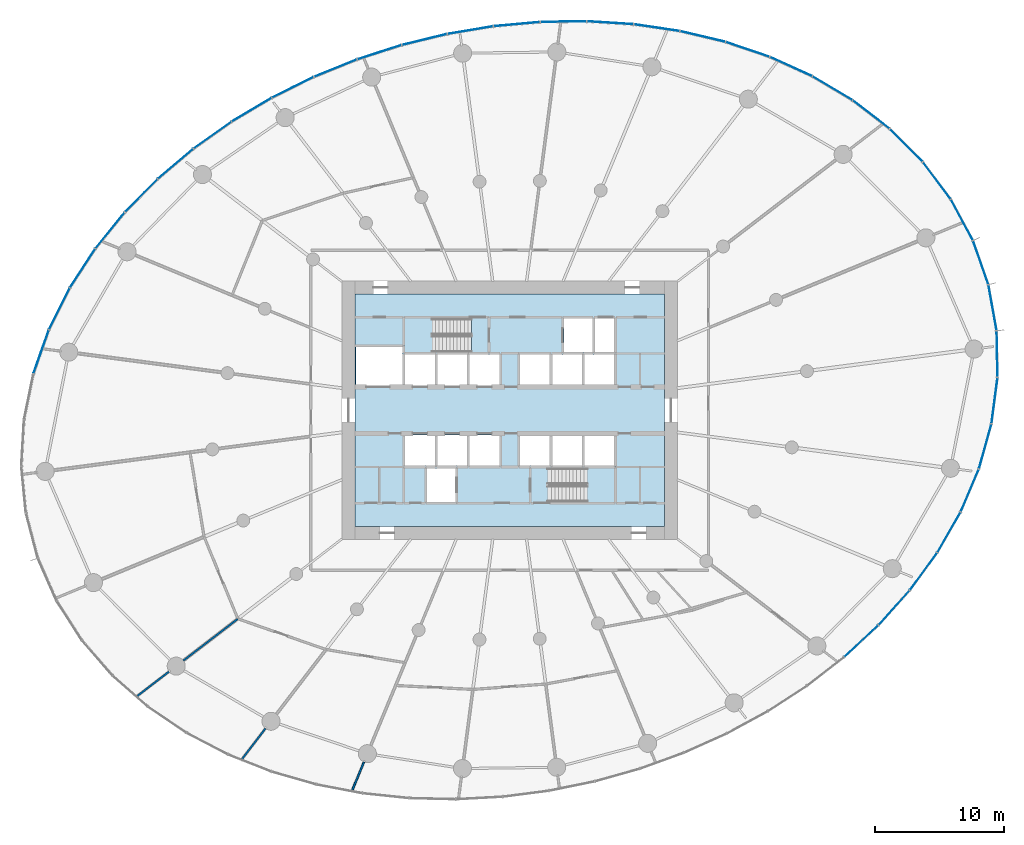
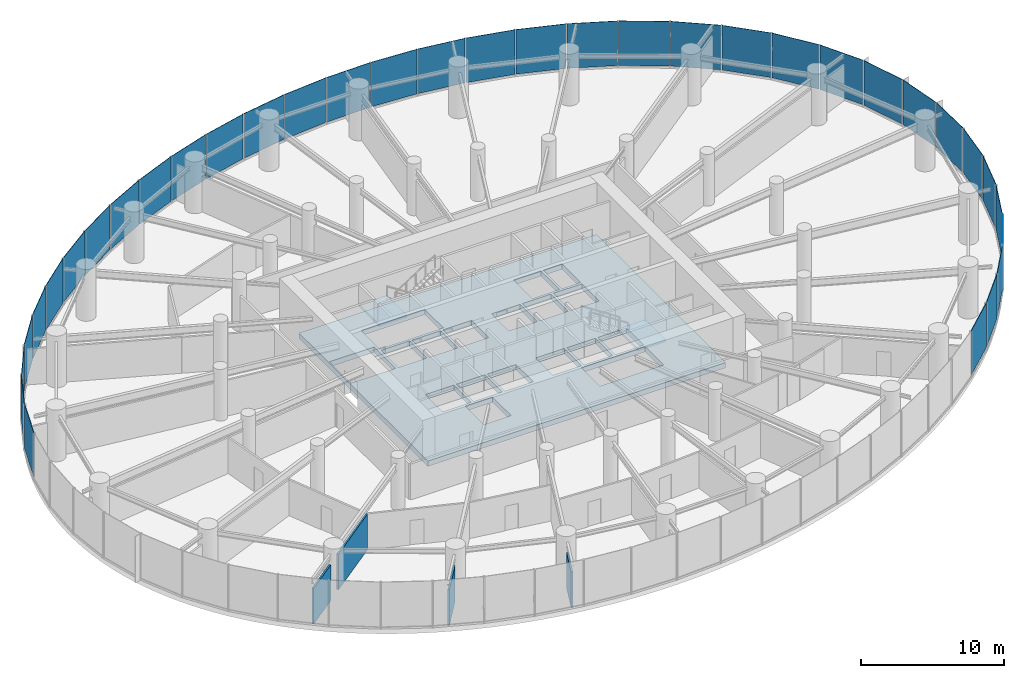
# One storey, part 10 of 18: 35 plates, 4 walls, 3 slabs, 9 elements without a shape of their own.
"""IFC4 building model written with IfcOpenShell, lengths in metres."""

import ifcopenshell
import ifcopenshell.guid

model = None  # the IFC model being written
_history = None  # IfcOwnerHistory: only IFC2X3 demands one
_inside = {}  # id of a spatial element -> (the spatial element, [elements in it])
_under = {}  # id of a project, library or spatial element -> (it, [spatial elements below it])
_declared = {}  # id of a project -> (the project, [libraries it declares])
_typed = {}  # id of a type object -> (the type object, [elements of that type])
_made_of = {}  # id of a material, layer set ... -> (it, [elements and type objects made of it])


def new_model(schema):
    """Start an empty IFC model of exactly this schema.

    Asked for "IFC4X3", IfcOpenShell would pick the latest addendum, in which some entities
    have other attributes; the version numbers below select the first issue.
    IFC2X3 requires an IfcOwnerHistory on every rooted entity: one is made here for all.
    """
    global model, _history
    if schema == "IFC4X3":
        model = ifcopenshell.file(schema_version=(4, 3, 0, 0))
    else:
        model = ifcopenshell.file(schema=schema)
    _inside.clear()
    _under.clear()
    _declared.clear()
    _typed.clear()
    _made_of.clear()
    _history = None
    if model.schema == "IFC2X3":
        org = make("IfcOrganization", Name="unknown")
        user = make(
            "IfcPersonAndOrganization",
            ThePerson=make("IfcPerson", FamilyName="unknown"),
            TheOrganization=org,
        )
        app = make(
            "IfcApplication",
            ApplicationDeveloper=org,
            Version="unknown",
            ApplicationFullName="unknown",
            ApplicationIdentifier="unknown",
        )
        _history = make(
            "IfcOwnerHistory",
            OwningUser=user,
            OwningApplication=app,
            ChangeAction="ADDED",
            CreationDate=0,
        )
    return model


def make(cls, **values):
    """One entity of the class cls with the attributes given. An attribute that is None is left unset."""
    return model.create_entity(
        cls, **{name: value for name, value in values.items() if value is not None}
    )


def rooted(cls, **values):
    """An entity with a GlobalId (a new one), such as an element, a storey or a relation."""
    return make(cls, GlobalId=ifcopenshell.guid.new(), OwnerHistory=_history, **values)


def si_unit(unit_type, name, prefix=None):
    """IfcSIUnit, for example si_unit("LENGTHUNIT", "METRE", prefix="MILLI")."""
    return make("IfcSIUnit", UnitType=unit_type, Prefix=prefix, Name=name)


def assignment(units):
    """IfcUnitAssignment: the units of a project."""
    return None if units is None else make("IfcUnitAssignment", Units=units)


def point(xyz):
    """IfcCartesianPoint."""
    return None if xyz is None else make("IfcCartesianPoint", Coordinates=xyz)


def direction(xyz):
    """IfcDirection."""
    return None if xyz is None else make("IfcDirection", DirectionRatios=xyz)


def frame(location, z_axis=None, x_axis=None):
    """IfcAxis2Placement3D, a coordinate frame: its origin and axes. An axis left out is left unset."""
    return make(
        "IfcAxis2Placement3D",
        Location=point(location),
        Axis=direction(z_axis),
        RefDirection=direction(x_axis),
    )


def frame_2d(location, x_axis=None):
    """IfcAxis2Placement2D, a coordinate frame in the plane: its origin and x axis."""
    return make(
        "IfcAxis2Placement2D", Location=point(location), RefDirection=direction(x_axis)
    )


def origin():
    """The frame at (0, 0, 0) with its axes left unset."""
    return frame((0.0, 0.0, 0.0))


def origin_2d():
    """The frame at (0, 0) in the plane with its x axis left unset."""
    return frame_2d((0.0, 0.0))


def place(relative_to, where):
    """IfcLocalPlacement: puts the frame where relative to a parent placement (None: the world)."""
    return make(
        "IfcLocalPlacement", PlacementRelTo=relative_to, RelativePlacement=where
    )


def context(
    kind, dimensions, precision=None, world=None, true_north=None, identifier=None
):
    """IfcGeometricRepresentationContext, for example the 3D "Model" context."""
    return make(
        "IfcGeometricRepresentationContext",
        ContextIdentifier=identifier,
        ContextType=kind,
        CoordinateSpaceDimension=dimensions,
        Precision=precision,
        WorldCoordinateSystem=world,
        TrueNorth=true_north,
    )


def subcontext(parent, identifier, kind, view, scale=None):
    """IfcGeometricRepresentationSubContext, for example "Body" below "Model"."""
    return make(
        "IfcGeometricRepresentationSubContext",
        ContextIdentifier=identifier,
        ContextType=kind,
        ParentContext=parent,
        TargetScale=scale,
        TargetView=view,
    )


def project(units=None, contexts=None):
    """IfcProject with its units and contexts."""
    return rooted(
        "IfcProject",
        Name="project",
        RepresentationContexts=contexts,
        UnitsInContext=assignment(units),
    )


def spatial(cls, under=None, at=None, **own):
    """A site, building, storey or space (cls), placed at a placement, below another one or the project."""
    s = rooted(cls, ObjectPlacement=at, **own)
    if under is not None:
        _under.setdefault(under.id(), (under, []))[1].append(s)
    return s


def point_list(points):
    """IfcCartesianPointList2D or 3D."""
    cls = (
        "IfcCartesianPointList2D" if len(points[0]) == 2 else "IfcCartesianPointList3D"
    )
    return make(cls, CoordList=points)


def line(*indices):
    """IfcLineIndex: a straight run through numbered points of an indexed curve."""
    return model.create_entity("IfcLineIndex", indices)


def indexed_curve(points, segments=None, self_intersect=None):
    """IfcIndexedPolyCurve: lines and arcs through numbered points (the first is 1)."""
    return make(
        "IfcIndexedPolyCurve",
        Points=point_list(points),
        Segments=segments,
        SelfIntersect=self_intersect,
    )


def profile(cls, at=None, kind="AREA", **sizes):
    """A parametric profile (cls). Its sizes go by their IFC names, for example OverallWidth=200.0."""
    return make(cls, ProfileType=kind, Position=at, **sizes)


def rectangle(**sizes):
    """IfcRectangleProfileDef."""
    return profile("IfcRectangleProfileDef", **sizes)


def outline(outer, holes=None, kind="AREA"):
    """IfcArbitraryClosedProfileDef: a profile drawn as a closed curve; with holes, ...WithVoids."""
    if holes is None:
        return make("IfcArbitraryClosedProfileDef", ProfileType=kind, OuterCurve=outer)
    return make(
        "IfcArbitraryProfileDefWithVoids",
        ProfileType=kind,
        OuterCurve=outer,
        InnerCurves=holes,
    )


def extrude(swept, where, along, depth):
    """IfcExtrudedAreaSolid: the profile swept, set in the frame where, extruded along a direction by depth."""
    return make(
        "IfcExtrudedAreaSolid",
        SweptArea=swept,
        Position=where,
        ExtrudedDirection=direction(along),
        Depth=depth,
    )


def shape(context_of_items, identifier, shape_type, items):
    """IfcShapeRepresentation: the items that make up one representation, for example the "Body"."""
    return make(
        "IfcShapeRepresentation",
        ContextOfItems=context_of_items,
        RepresentationIdentifier=identifier,
        RepresentationType=shape_type,
        Items=items,
    )


def source(mapping_origin, context_of_items, identifier, shape_type, items):
    """IfcRepresentationMap: a shape defined once, which mapped items show again and again."""
    return make(
        "IfcRepresentationMap",
        MappingOrigin=mapping_origin,
        MappedRepresentation=shape(context_of_items, identifier, shape_type, items),
    )


def transform(
    local_origin,
    x_axis=None,
    y_axis=None,
    z_axis=None,
    scale=None,
    scale2=None,
    scale3=None,
    uniform=True,
):
    """IfcCartesianTransformationOperator3D, or its non-uniform kind. x_axis, y_axis, z_axis: its Axis1, 2, 3."""
    if uniform:
        return make(
            "IfcCartesianTransformationOperator3D",
            Axis1=direction(x_axis),
            Axis2=direction(y_axis),
            LocalOrigin=point(local_origin),
            Scale=scale,
            Axis3=direction(z_axis),
        )
    return make(
        "IfcCartesianTransformationOperator3DnonUniform",
        Axis1=direction(x_axis),
        Axis2=direction(y_axis),
        LocalOrigin=point(local_origin),
        Scale=scale,
        Axis3=direction(z_axis),
        Scale2=scale2,
        Scale3=scale3,
    )


def mapped(mapping_source, mapping_target):
    """IfcMappedItem: shows the shape of a source again, moved by a transform."""
    return make(
        "IfcMappedItem", MappingSource=mapping_source, MappingTarget=mapping_target
    )


def material(Name=None, Category=None):
    """IfcMaterial."""
    return make("IfcMaterial", Name=Name, Category=Category)


def layer(
    of_material, thickness, ventilated=None, Name=None, Category=None, Priority=None
):
    """IfcMaterialLayer: one layer of a wall or slab, of a material (None: an air gap)."""
    return make(
        "IfcMaterialLayer",
        Material=of_material,
        LayerThickness=thickness,
        IsVentilated=ventilated,
        Name=Name,
        Category=Category,
        Priority=Priority,
    )


def layer_set(layers, Name=None):
    """IfcMaterialLayerSet."""
    return make("IfcMaterialLayerSet", MaterialLayers=layers, LayerSetName=Name)


def made_of(thing, what):
    """Note that an element or type object is made of a material, layer set ...; save() writes the relation."""
    if what is not None:
        _made_of.setdefault(what.id(), (what, []))[1].append(thing)
    return thing


def type_object(cls, material=None, **own):
    """A type object (cls), such as IfcWallType, which elements share."""
    return made_of(rooted(cls, **own), material)


def element(
    cls,
    number,
    at=None,
    inside=None,
    cuts=None,
    type_object=None,
    material=None,
    context=None,
    identifier="Body",
    shape_type=None,
    held_by="IfcProductDefinitionShape",
    body=None,
    shapes=None,
    **own,
):
    """One element of the class cls, such as IfcWall. Its Tag is "e" and its number.

    at: its placement. inside: the storey or other place that contains it. cuts: it is an
    opening in that element (IfcRelVoidsElement). A single representation is given by context,
    identifier, shape_type and body (its items); several are given by shapes. held_by: the class
    of the entity that holds the representations. save() writes the other relations.
    """
    e = rooted(cls, Tag="e%d" % number, ObjectPlacement=at, **own)
    if body is not None:
        shapes = [shape(context, identifier, shape_type, body)]
    if shapes is not None:
        e.Representation = make(held_by, Representations=shapes)
    if inside is not None:
        _inside.setdefault(inside.id(), (inside, []))[1].append(e)
    if cuts is not None:
        rooted(
            "IfcRelVoidsElement", RelatingBuildingElement=cuts, RelatedOpeningElement=e
        )
    if type_object is not None:
        _typed.setdefault(type_object.id(), (type_object, []))[1].append(e)
    return made_of(e, material)


def aggregate(whole, parts):
    """IfcRelAggregates: a whole, such as a stair, and the parts it consists of."""
    return rooted("IfcRelAggregates", RelatingObject=whole, RelatedObjects=parts)


def save(model, path):
    """Write the relations noted so far, then the file.

    IfcRelAggregates (storeys below a building ...), IfcRelContainedInSpatialStructure (elements
    in a storey), IfcRelDefinesByType, IfcRelAssociatesMaterial and IfcRelDeclares: one each for
    every whole, place, type object, material and project.
    """
    for whole, parts in _under.values():
        aggregate(whole, parts)
    for where, things in _inside.values():
        rooted(
            "IfcRelContainedInSpatialStructure",
            RelatedElements=things,
            RelatingStructure=where,
        )
    for kind, things in _typed.values():
        rooted("IfcRelDefinesByType", RelatedObjects=things, RelatingType=kind)
    for what, things in _made_of.values():
        rooted("IfcRelAssociatesMaterial", RelatedObjects=things, RelatingMaterial=what)
    for by, libraries in _declared.values():
        rooted("IfcRelDeclares", RelatingContext=by, RelatedDefinitions=libraries)
    model.write(path)


model = new_model("IFC4")

# Units and contexts
model_context = context("Model", 3, precision=1e-05, world=origin(), true_north=direction((0.0, 1.0)))
body_context = subcontext(model_context, "Body", "Model", "MODEL_VIEW")
ifc_project = project(units=[si_unit("LENGTHUNIT", "METRE"), si_unit("AREAUNIT", "SQUARE_METRE"), si_unit("VOLUMEUNIT", "CUBIC_METRE"), si_unit("PLANEANGLEUNIT", "RADIAN"), si_unit("MASSUNIT", "GRAM", prefix="KILO")], contexts=[model_context])

# Site, building, storey
site_placement = place(None, origin())
site = spatial("IfcSite", under=ifc_project, at=site_placement, CompositionType="ELEMENT")
building_placement = place(site_placement, origin())
building = spatial("IfcBuilding", under=site, at=building_placement, Name="Spindrift Exchange Tower", CompositionType="ELEMENT")
storey_placement = place(building_placement, frame((0.0, 0.0, 66.60009765625)))
storey = spatial("IfcBuildingStorey", under=building, at=storey_placement, Name="L15", CompositionType="ELEMENT", Elevation=66.60009765625)

# Slab
ifc_material_1 = material(Name="Concrete 50 MPa", Category="concrete")
ifc_layer_1 = layer(ifc_material_1, 0.449951171875)
ifc_layer_set_1 = layer_set([ifc_layer_1], Name="SL-CORE-FLOOR-450")
slab_type_1 = type_object("IfcSlabType", Name="SL-CORE-FLOOR-450", PredefinedType="FLOOR", material=ifc_layer_set_1)
slab_1_placement = place(storey_placement, frame((0.0, 0.0, -0.4501953125)))
element("IfcSlab", 1, at=slab_1_placement, inside=storey, type_object=slab_type_1, Name="L15 Core floor slab", PredefinedType="FLOOR", context=body_context, shape_type="SweptSolid", body=[
    extrude(outline(indexed_curve([(40.0, 39.0), (40.0, 57.0), (64.0, 57.0), (64.0, 39.0)], segments=[line(1, 2, 3, 4, 1)], self_intersect=False), holes=[indexed_curve([(47.800048828125, 43.5), (45.60009765625, 43.5), (45.60009765625, 40.89990234375), (47.800048828125, 40.89990234375)], segments=[line(1, 2, 3, 4, 1)], self_intersect=False), indexed_curve([(46.199951171875, 46.10009765625), (43.89990234375, 46.10009765625), (43.89990234375, 43.699951171875), (46.199951171875, 43.699951171875)], segments=[line(1, 2, 3, 4, 1)], self_intersect=False), indexed_curve([(48.699951171875, 46.10009765625), (46.39990234375, 46.10009765625), (46.39990234375, 43.699951171875), (48.699951171875, 43.699951171875)], segments=[line(1, 2, 3, 4, 1)], self_intersect=False), indexed_curve([(51.199951171875, 46.10009765625), (48.89990234375, 46.10009765625), (48.89990234375, 43.699951171875), (51.199951171875, 43.699951171875)], segments=[line(1, 2, 3, 4, 1)], self_intersect=False), indexed_curve([(46.199951171875, 52.300048828125), (43.89990234375, 52.300048828125), (43.89990234375, 49.89990234375), (46.199951171875, 49.89990234375)], segments=[line(1, 2, 3, 4, 1)], self_intersect=False), indexed_curve([(48.699951171875, 52.300048828125), (46.39990234375, 52.300048828125), (46.39990234375, 49.89990234375), (48.699951171875, 49.89990234375)], segments=[line(1, 2, 3, 4, 1)], self_intersect=False), indexed_curve([(51.199951171875, 52.300048828125), (48.89990234375, 52.300048828125), (48.89990234375, 49.89990234375), (51.199951171875, 49.89990234375)], segments=[line(1, 2, 3, 4, 1)], self_intersect=False), indexed_curve([(43.699951171875, 49.89990234375), (43.699951171875, 52.89990234375), (40.10009765625, 52.89990234375), (40.10009765625, 49.89990234375)], segments=[line(1, 2, 3, 4, 1)], self_intersect=False), indexed_curve([(49.0439453125, 55.093994140625), (43.906005859375, 55.093994140625), (43.906005859375, 52.506103515625), (49.0439453125, 52.506103515625)], segments=[line(1, 2, 3, 4, 1)], self_intersect=False), indexed_curve([(60.093994140625, 40.906005859375), (60.093994140625, 43.493896484375), (54.9560546875, 43.493896484375), (54.9560546875, 40.906005859375)], segments=[line(1, 2, 3, 4, 1)], self_intersect=False), indexed_curve([(55.10009765625, 46.10009765625), (52.800048828125, 46.10009765625), (52.800048828125, 43.699951171875), (55.10009765625, 43.699951171875)], segments=[line(1, 2, 3, 4, 1)], self_intersect=False), indexed_curve([(57.60009765625, 46.10009765625), (55.300048828125, 46.10009765625), (55.300048828125, 43.699951171875), (57.60009765625, 43.699951171875)], segments=[line(1, 2, 3, 4, 1)], self_intersect=False), indexed_curve([(60.10009765625, 46.10009765625), (57.800048828125, 46.10009765625), (57.800048828125, 43.699951171875), (60.10009765625, 43.699951171875)], segments=[line(1, 2, 3, 4, 1)], self_intersect=False), indexed_curve([(55.10009765625, 52.300048828125), (52.800048828125, 52.300048828125), (52.800048828125, 49.89990234375), (55.10009765625, 49.89990234375)], segments=[line(1, 2, 3, 4, 1)], self_intersect=False), indexed_curve([(57.60009765625, 52.300048828125), (55.300048828125, 52.300048828125), (55.300048828125, 49.89990234375), (57.60009765625, 49.89990234375)], segments=[line(1, 2, 3, 4, 1)], self_intersect=False), indexed_curve([(60.10009765625, 52.300048828125), (57.800048828125, 52.300048828125), (57.800048828125, 49.89990234375), (60.10009765625, 49.89990234375)], segments=[line(1, 2, 3, 4, 1)], self_intersect=False), indexed_curve([(58.39990234375, 52.5), (58.39990234375, 55.10009765625), (56.199951171875, 55.10009765625), (56.199951171875, 52.5)], segments=[line(1, 2, 3, 4, 1)], self_intersect=False), indexed_curve([(60.10009765625, 52.5), (60.10009765625, 55.10009765625), (58.60009765625, 55.10009765625), (58.60009765625, 52.5)], segments=[line(1, 2, 3, 4, 1)], self_intersect=False)]), origin(), (0.0, 0.0, 1.0), 0.4501953125),
])

# Stair, slab
stair_type = type_object("IfcStairType", Name="ST-1250-R183", PredefinedType="HALF_TURN_STAIR", material=ifc_material_1)
stair_1_placement = place(storey_placement, origin())
stair_1 = element("IfcStair", 2, at=stair_1_placement, inside=storey, type_object=stair_type, Name="L15 Exit stair ST1", PredefinedType="HALF_TURN_STAIR")
ifc_layer_2 = layer(ifc_material_1, 0.199951171875)
ifc_layer_set_2 = layer_set([ifc_layer_2], Name="SL-LANDING")
slab_type_2 = type_object("IfcSlabType", Name="SL-LANDING", PredefinedType="LANDING", material=ifc_layer_set_2)
slab_2_placement = place(storey_placement, frame((0.0, 0.0, 2.0)))
slab_2 = element("IfcSlab", 3, at=slab_2_placement, type_object=slab_type_2, Name="ST1 landing 1", PredefinedType="LANDING", context=body_context, shape_type="SweptSolid", body=[
    extrude(outline(indexed_curve([(46.050048828125, 52.39990234375), (43.800048828125, 52.39990234375), (43.800048828125, 55.199951171875), (46.050048828125, 55.199951171875)], segments=[line(1, 2, 3, 4, 1)], self_intersect=False)), origin(), (0.0, 0.0, 1.0), 0.199951171875),
])
aggregate(stair_1, [slab_2])

stair_2_placement = place(storey_placement, origin())
stair_2 = element("IfcStair", 4, at=stair_2_placement, inside=storey, type_object=stair_type, Name="L15 Exit stair ST2", PredefinedType="HALF_TURN_STAIR")
slab_3_placement = place(storey_placement, frame((0.0, 0.0, 2.0)))
slab_3 = element("IfcSlab", 5, at=slab_3_placement, type_object=slab_type_2, Name="ST2 landing 1", PredefinedType="LANDING", context=body_context, shape_type="SweptSolid", body=[
    extrude(outline(indexed_curve([(57.949951171875, 43.60009765625), (60.199951171875, 43.60009765625), (60.199951171875, 40.800048828125), (57.949951171875, 40.800048828125)], segments=[line(1, 2, 3, 4, 1)], self_intersect=False)), origin(), (0.0, 0.0, 1.0), 0.199951171875),
])
aggregate(stair_2, [slab_3])

# Curtain wall, plate
ifc_material_2 = material(Name="Fritted laminated glass with bronze frame", Category="glass")
ifc_layer_3 = layer(ifc_material_2, 0.199951171875)
ifc_layer_set_3 = layer_set([ifc_layer_3], Name="ZONE 1 BRONZE FRITTED WALL")
curtain_wall_type = type_object("IfcCurtainWallType", Name="ZONE 1 BRONZE FRITTED WALL", PredefinedType="NOTDEFINED", material=ifc_layer_set_3)
curtain_wall_1_placement = place(storey_placement, origin())
curtain_wall_1 = element("IfcCurtainWall", 6, at=curtain_wall_1_placement, inside=storey, type_object=curtain_wall_type, Name="L15 Zone 1 Bronze Fritted Wall run 10", PredefinedType="NOTDEFINED")
ifc_material_3 = material(Name="Bronze fritted laminated glass, dense frit", Category="glass")
ifc_layer_4 = layer(ifc_material_3, 0.035888671875)
ifc_layer_set_4 = layer_set([ifc_layer_4], Name="ZONE 1 BRONZE FRITTED WALL PANEL DENSE FRIT 420")
plate_type_1 = type_object("IfcPlateType", Name="ZONE 1 BRONZE FRITTED WALL PANEL DENSE FRIT 420", PredefinedType="CURTAIN_PANEL", material=ifc_layer_set_4)
shared_shape_1 = source(origin(), body_context, "Body", "SweptSolid", [
    extrude(rectangle(XDim=3.544677734375, YDim=0.035888671875, at=origin_2d()), origin(), (0.0, 0.0, 1.0), 3.800048828125),
])
plate_1_placement = place(storey_placement, frame((89.768310546875, 52.34912109375, 0.14990234375), z_axis=(0.0, 0.0, 1.0), x_axis=(-0.019670337297, 0.999806520198, 0.0)))
plate_1 = element("IfcPlate", 7, at=plate_1_placement, type_object=plate_type_1, Name="L15 panel CW-1.58", PredefinedType="CURTAIN_PANEL", context=body_context, shape_type="MappedRepresentation", body=[
    mapped(shared_shape_1, transform((0.0, 0.0, 0.0), scale=1.0)),
])

curtain_wall_2_placement = place(storey_placement, origin())
curtain_wall_2 = element("IfcCurtainWall", 8, at=curtain_wall_2_placement, inside=storey, type_object=curtain_wall_type, Name="L15 Zone 1 Bronze Fritted Wall run 1", PredefinedType="NOTDEFINED")
ifc_layer_5 = layer(ifc_material_3, 0.035888671875)
ifc_layer_set_5 = layer_set([ifc_layer_5], Name="ZONE 1 BRONZE FRITTED WALL PANEL DENSE FRIT 180")
plate_type_2 = type_object("IfcPlateType", Name="ZONE 1 BRONZE FRITTED WALL PANEL DENSE FRIT 180", PredefinedType="CURTAIN_PANEL", material=ifc_layer_set_5)
shared_shape_2 = source(origin(), body_context, "Body", "SweptSolid", [
    extrude(rectangle(XDim=3.544921875, YDim=0.035888671875, at=origin_2d()), origin(), (0.0, 0.0, 1.0), 3.800048828125),
])
plate_2_placement = place(storey_placement, frame((85.09521484375, 65.792724609375, 0.14990234375), z_axis=(0.0, 0.0, 1.0), x_axis=(-0.600189907783, 0.799857533937, 0.0)))
plate_2 = element("IfcPlate", 9, at=plate_2_placement, type_object=plate_type_2, Name="L15 panel CW-1.3", PredefinedType="CURTAIN_PANEL", context=body_context, shape_type="MappedRepresentation", body=[
    mapped(shared_shape_2, transform((0.0, 0.0, 0.0), scale=1.0)),
])

# Plate
shared_shape_3 = source(origin(), body_context, "Body", "SweptSolid", [
    extrude(rectangle(XDim=3.5458984375, YDim=0.035888671875, at=origin_2d()), origin(), (0.0, 0.0, 1.0), 3.800048828125),
])
plate_3_placement = place(storey_placement, frame((87.649658203125, 41.7822265625, 0.14990234375), z_axis=(0.0, 0.0, 1.0), x_axis=(0.391087760809, 0.920353390468, 0.0)))
plate_3 = element("IfcPlate", 10, at=plate_3_placement, type_object=plate_type_2, Name="L15 panel CW-1.55", PredefinedType="CURTAIN_PANEL", context=body_context, shape_type="MappedRepresentation", body=[
    mapped(shared_shape_3, transform((0.0, 0.0, 0.0), scale=1.0)),
])

# Curtain wall, plate
curtain_wall_3_placement = place(storey_placement, origin())
curtain_wall_3 = element("IfcCurtainWall", 11, at=curtain_wall_3_placement, inside=storey, type_object=curtain_wall_type, Name="L15 Zone 1 Bronze Fritted Wall run 4", PredefinedType="NOTDEFINED")
ifc_layer_6 = layer(ifc_material_3, 0.035888671875)
ifc_layer_set_6 = layer_set([ifc_layer_6], Name="ZONE 1 BRONZE FRITTED WALL PANEL DENSE FRIT 300")
plate_type_3 = type_object("IfcPlateType", Name="ZONE 1 BRONZE FRITTED WALL PANEL DENSE FRIT 300", PredefinedType="CURTAIN_PANEL", material=ifc_layer_set_6)
shared_shape_4 = source(origin(), body_context, "Body", "SweptSolid", [
    extrude(rectangle(XDim=3.546875, YDim=0.035888671875, at=origin_2d()), origin(), (0.0, 0.0, 1.0), 3.800048828125),
])
plate_4_placement = place(storey_placement, frame((23.455322265625, 64.6298828125, 0.14990234375), z_axis=(0.0, 0.0, 1.0), x_axis=(-0.702417703805, -0.711764967795, 0.0)))
plate_4 = element("IfcPlate", 12, at=plate_4_placement, type_object=plate_type_3, Name="L15 panel CW-1.22", PredefinedType="CURTAIN_PANEL", context=body_context, shape_type="MappedRepresentation", body=[
    mapped(shared_shape_4, transform((0.0, 0.0, 0.0), scale=1.0)),
])

# Curtain wall, plates
curtain_wall_4_placement = place(storey_placement, origin())
curtain_wall_4 = element("IfcCurtainWall", 13, at=curtain_wall_4_placement, inside=storey, type_object=curtain_wall_type, Name="L15 Zone 1 Bronze Fritted Wall run 2", PredefinedType="NOTDEFINED")
shared_shape_5 = source(origin(), body_context, "Body", "SweptSolid", [
    extrude(rectangle(XDim=3.547119140625, YDim=0.035888671875, at=origin_2d()), origin(), (0.0, 0.0, 1.0), 3.800048828125),
])
plate_5_placement = place(storey_placement, frame((63.397216796875, 77.64111328125, 0.14990234375), z_axis=(0.0, 0.0, 1.0), x_axis=(-0.989376360764, 0.145376809573, 0.0)))
plate_5 = element("IfcPlate", 14, at=plate_5_placement, type_object=plate_type_1, Name="L15 panel CW-1.10", PredefinedType="CURTAIN_PANEL", context=body_context, shape_type="MappedRepresentation", body=[
    mapped(shared_shape_5, transform((0.0, 0.0, 0.0), scale=1.0)),
])
shared_shape_6 = source(origin(), body_context, "Body", "SweptSolid", [
    extrude(rectangle(XDim=3.547119140625, YDim=0.035888671875, at=origin_2d()), origin(), (0.0, 0.0, 1.0), 3.800048828125),
])
plate_6_placement = place(storey_placement, frame((66.955810546875, 76.95849609375, 0.14990234375), z_axis=(0.0, 0.0, 1.0), x_axis=(-0.972929768631, 0.231100985095, 0.0)))
plate_6 = element("IfcPlate", 15, at=plate_6_placement, type_object=plate_type_3, Name="L15 panel CW-1.9", PredefinedType="CURTAIN_PANEL", context=body_context, shape_type="MappedRepresentation", body=[
    mapped(shared_shape_6, transform((0.0, 0.0, 0.0), scale=1.0)),
])

# Plate
plate_7_placement = place(storey_placement, frame((28.977783203125, 69.312255859375, 0.14990234375), z_axis=(0.0, 0.0, 1.0), x_axis=(-0.815523931181, -0.578723351586, 0.0)))
plate_7 = element("IfcPlate", 16, at=plate_7_placement, type_object=plate_type_3, Name="L15 panel CW-1.20", PredefinedType="CURTAIN_PANEL", context=body_context, shape_type="MappedRepresentation", body=[
    mapped(shared_shape_6, transform((0.0, 0.0, 0.0), scale=1.0)),
])

plate_8_placement = place(storey_placement, frame((26.114013671875, 67.091796875, 0.14990234375), z_axis=(0.0, 0.0, 1.0), x_axis=(-0.763641671344, -0.645640300621, 0.0)))
plate_8 = element("IfcPlate", 17, at=plate_8_placement, type_object=plate_type_3, Name="L15 panel CW-1.21", PredefinedType="CURTAIN_PANEL", context=body_context, shape_type="MappedRepresentation", body=[
    mapped(shared_shape_6, transform((0.0, 0.0, 0.0), scale=1.0)),
])

# Curtain wall, plates
curtain_wall_5_placement = place(storey_placement, origin())
curtain_wall_5 = element("IfcCurtainWall", 18, at=curtain_wall_5_placement, inside=storey, type_object=curtain_wall_type, Name="L15 Zone 1 Bronze Fritted Wall run 3", PredefinedType="NOTDEFINED")
shared_shape_7 = source(origin(), body_context, "Body", "SweptSolid", [
    extrude(rectangle(XDim=3.54736328125, YDim=0.035888671875, at=origin_2d()), origin(), (0.0, 0.0, 1.0), 3.800048828125),
])
plate_9_placement = place(storey_placement, frame((41.914306640625, 75.74169921875, 0.14990234375), z_axis=(0.0, 0.0, 1.0), x_axis=(-0.951984697188, -0.306145612937, 0.0)))
plate_9 = element("IfcPlate", 19, at=plate_9_placement, type_object=plate_type_3, Name="L15 panel CW-1.16", PredefinedType="CURTAIN_PANEL", context=body_context, shape_type="MappedRepresentation", body=[
    mapped(shared_shape_7, transform((0.0, 0.0, 0.0), scale=1.0)),
])
plate_10_placement = place(storey_placement, frame((35.19970703125, 73.020751953125, 0.14990234375), z_axis=(0.0, 0.0, 1.0), x_axis=(-0.896266701611, -0.44351550095, 0.0)))
plate_10 = element("IfcPlate", 20, at=plate_10_placement, type_object=plate_type_3, Name="L15 panel CW-1.18", PredefinedType="CURTAIN_PANEL", context=body_context, shape_type="MappedRepresentation", body=[
    mapped(shared_shape_7, transform((0.0, 0.0, 0.0), scale=1.0)),
])
shared_shape_8 = source(origin(), body_context, "Body", "SweptSolid", [
    extrude(rectangle(XDim=3.54736328125, YDim=0.035888671875, at=origin_2d()), origin(), (0.0, 0.0, 1.0), 3.800048828125),
])
plate_11_placement = place(storey_placement, frame((52.5498046875, 77.914794921875, 0.14990234375), z_axis=(0.0, 0.0, 1.0), x_axis=(-0.995850636674, -0.091002799061, 0.0)))
plate_11 = element("IfcPlate", 21, at=plate_11_placement, type_object=plate_type_2, Name="L15 panel CW-1.13", PredefinedType="CURTAIN_PANEL", context=body_context, shape_type="MappedRepresentation", body=[
    mapped(shared_shape_8, transform((0.0, 0.0, 0.0), scale=1.0)),
])
plate_12_placement = place(storey_placement, frame((38.506591796875, 74.505859375, 0.14990234375), z_axis=(0.0, 0.0, 1.0), x_axis=(-0.926930617901, -0.375232767223, 0.0)))
plate_12 = element("IfcPlate", 22, at=plate_12_placement, type_object=plate_type_2, Name="L15 panel CW-1.17", PredefinedType="CURTAIN_PANEL", context=body_context, shape_type="MappedRepresentation", body=[
    mapped(shared_shape_8, transform((0.0, 0.0, 0.0), scale=1.0)),
])

# Plate
plate_13_placement = place(storey_placement, frame((32.015380859375, 71.2890625, 0.14990234375), z_axis=(0.0, 0.0, 1.0), x_axis=(-0.859393917998, -0.511314085185, 0.0)))
plate_13 = element("IfcPlate", 23, at=plate_13_placement, type_object=plate_type_2, Name="L15 panel CW-1.19", PredefinedType="CURTAIN_PANEL", context=body_context, shape_type="MappedRepresentation", body=[
    mapped(shared_shape_8, transform((0.0, 0.0, 0.0), scale=1.0)),
])

shared_shape_9 = source(origin(), body_context, "Body", "SweptSolid", [
    extrude(rectangle(XDim=3.54736328125, YDim=0.035888671875, at=origin_2d()), origin(), (0.0, 0.0, 1.0), 3.800048828125),
])
plate_14_placement = place(storey_placement, frame((56.169677734375, 78.107421875, 0.14990234375), z_axis=(0.0, 0.0, 1.0), x_axis=(-0.999884189129, -0.015218683554, 0.0)))
plate_14 = element("IfcPlate", 24, at=plate_14_placement, type_object=plate_type_1, Name="L15 panel CW-1.12", PredefinedType="CURTAIN_PANEL", context=body_context, shape_type="MappedRepresentation", body=[
    mapped(shared_shape_9, transform((0.0, 0.0, 0.0), scale=1.0)),
])

plate_15_placement = place(storey_placement, frame((48.954833984375, 77.451416015625, 0.14990234375), z_axis=(0.0, 0.0, 1.0), x_axis=(-0.98637762768, -0.164496734352, 0.0)))
plate_15 = element("IfcPlate", 25, at=plate_15_placement, type_object=plate_type_1, Name="L15 panel CW-1.14", PredefinedType="CURTAIN_PANEL", context=body_context, shape_type="MappedRepresentation", body=[
    mapped(shared_shape_9, transform((0.0, 0.0, 0.0), scale=1.0)),
])

shared_shape_10 = source(origin(), body_context, "Body", "SweptSolid", [
    extrude(rectangle(XDim=3.547119140625, YDim=0.035888671875, at=origin_2d()), origin(), (0.0, 0.0, 1.0), 3.800048828125),
])
plate_16_placement = place(storey_placement, frame((59.79296875, 78.02001953125, 0.14990234375), z_axis=(0.0, 0.0, 1.0), x_axis=(-0.997985861267, 0.063436745746, 0.0)))
plate_16 = element("IfcPlate", 26, at=plate_16_placement, type_object=plate_type_2, Name="L15 panel CW-1.11", PredefinedType="CURTAIN_PANEL", context=body_context, shape_type="MappedRepresentation", body=[
    mapped(shared_shape_10, transform((0.0, 0.0, 0.0), scale=1.0)),
])

shared_shape_11 = source(origin(), body_context, "Body", "SweptSolid", [
    extrude(rectangle(XDim=3.546875, YDim=0.035888671875, at=origin_2d()), origin(), (0.0, 0.0, 1.0), 3.800048828125),
])
plate_17_placement = place(storey_placement, frame((70.43798828125, 75.957763671875, 0.14990234375), z_axis=(0.0, 0.0, 1.0), x_axis=(-0.947164382877, 0.320748549194, 0.0)))
plate_17 = element("IfcPlate", 27, at=plate_17_placement, type_object=plate_type_1, Name="L15 panel CW-1.8", PredefinedType="CURTAIN_PANEL", context=body_context, shape_type="MappedRepresentation", body=[
    mapped(shared_shape_11, transform((0.0, 0.0, 0.0), scale=1.0)),
])

# Curtain wall, plate
curtain_wall_6_placement = place(storey_placement, origin())
curtain_wall_6 = element("IfcCurtainWall", 28, at=curtain_wall_6_placement, inside=storey, type_object=curtain_wall_type, Name="L15 Zone 1 Bronze Fritted Wall run 9", PredefinedType="NOTDEFINED")
plate_18_placement = place(storey_placement, frame((81.785888671875, 32.68994140625, 0.14990234375), z_axis=(0.0, 0.0, 1.0), x_axis=(0.667828658256, 0.744315042984, 0.0)))
plate_18 = element("IfcPlate", 29, at=plate_18_placement, type_object=plate_type_1, Name="L15 panel CW-1.52", PredefinedType="CURTAIN_PANEL", context=body_context, shape_type="MappedRepresentation", body=[
    mapped(shared_shape_11, transform((0.0, 0.0, 0.0), scale=1.0)),
])

# Plate
shared_shape_12 = source(origin(), body_context, "Body", "SweptSolid", [
    extrude(rectangle(XDim=3.54443359375, YDim=0.035888671875, at=origin_2d()), origin(), (0.0, 0.0, 1.0), 3.800048828125),
])
plate_19_placement = place(storey_placement, frame((89.4140625, 55.945068359375, 0.14990234375), z_axis=(0.0, 0.0, 1.0), x_axis=(-0.175837515344, 0.984419203489, 0.0)))
plate_19 = element("IfcPlate", 30, at=plate_19_placement, type_object=plate_type_2, Name="L15 panel CW-1.59", PredefinedType="CURTAIN_PANEL", context=body_context, shape_type="MappedRepresentation", body=[
    mapped(shared_shape_12, transform((0.0, 0.0, 0.0), scale=1.0)),
])

shared_shape_13 = source(origin(), body_context, "Body", "SweptSolid", [
    extrude(rectangle(XDim=3.54443359375, YDim=0.035888671875, at=origin_2d()), origin(), (0.0, 0.0, 1.0), 3.800048828125),
])
plate_20_placement = place(storey_placement, frame((88.49755859375, 59.439697265625, 0.14990234375), z_axis=(0.0, 0.0, 1.0), x_axis=(-0.329934500696, 0.944003826926, 0.0)))
plate_20 = element("IfcPlate", 31, at=plate_20_placement, type_object=plate_type_3, Name="L15 panel CW-1.1", PredefinedType="CURTAIN_PANEL", context=body_context, shape_type="MappedRepresentation", body=[
    mapped(shared_shape_13, transform((0.0, 0.0, 0.0), scale=1.0)),
])

# Curtain wall, plate
curtain_wall_7_placement = place(storey_placement, origin())
curtain_wall_7 = element("IfcCurtainWall", 32, at=curtain_wall_7_placement, inside=storey, type_object=curtain_wall_type, Name="L15 Zone 1 Bronze Fritted Wall run 5", PredefinedType="NOTDEFINED")
shared_shape_14 = source(origin(), body_context, "Body", "SweptSolid", [
    extrude(rectangle(XDim=3.545654296875, YDim=0.035888671875, at=origin_2d()), origin(), (0.0, 0.0, 1.0), 3.800048828125),
])
plate_21_placement = place(storey_placement, frame((15.697021484375, 52.52978515625, 0.14990234375), z_axis=(0.0, 0.0, 1.0), x_axis=(-0.331716611813, -0.943379080459, 0.0)))
plate_21 = element("IfcPlate", 33, at=plate_21_placement, type_object=plate_type_3, Name="L15 panel CW-1.26", PredefinedType="CURTAIN_PANEL", context=body_context, shape_type="MappedRepresentation", body=[
    mapped(shared_shape_14, transform((0.0, 0.0, 0.0), scale=1.0)),
])

# Plate
shared_shape_15 = source(origin(), body_context, "Body", "SweptSolid", [
    extrude(rectangle(XDim=3.5458984375, YDim=0.035888671875, at=origin_2d()), origin(), (0.0, 0.0, 1.0), 3.800048828125),
])
plate_22_placement = place(storey_placement, frame((80.00927734375, 70.913818359375, 0.14990234375), z_axis=(0.0, 0.0, 1.0), x_axis=(-0.792417414482, 0.609979213766, 0.0)))
plate_22 = element("IfcPlate", 34, at=plate_22_placement, type_object=plate_type_1, Name="L15 panel CW-1.5", PredefinedType="CURTAIN_PANEL", context=body_context, shape_type="MappedRepresentation", body=[
    mapped(shared_shape_15, transform((0.0, 0.0, 0.0), scale=1.0)),
])

plate_23_placement = place(storey_placement, frame((17.10791015625, 55.8623046875, 0.14990234375), z_axis=(0.0, 0.0, 1.0), x_axis=(-0.446441461567, -0.894812841545, 0.0)))
plate_23 = element("IfcPlate", 35, at=plate_23_placement, type_object=plate_type_1, Name="L15 panel CW-1.25", PredefinedType="CURTAIN_PANEL", context=body_context, shape_type="MappedRepresentation", body=[
    mapped(shared_shape_15, transform((0.0, 0.0, 0.0), scale=1.0)),
])

aggregate(curtain_wall_7, [plate_23, plate_21])

shared_shape_16 = source(origin(), body_context, "Body", "SweptSolid", [
    extrude(rectangle(XDim=3.54638671875, YDim=0.035888671875, at=origin_2d()), origin(), (0.0, 0.0, 1.0), 3.800048828125),
])
plate_24_placement = place(storey_placement, frame((73.805908203125, 74.624755859375, 0.14990234375), z_axis=(0.0, 0.0, 1.0), x_axis=(-0.910124773515, 0.414334281268, 0.0)))
plate_24 = element("IfcPlate", 36, at=plate_24_placement, type_object=plate_type_2, Name="L15 panel CW-1.7", PredefinedType="CURTAIN_PANEL", context=body_context, shape_type="MappedRepresentation", body=[
    mapped(shared_shape_16, transform((0.0, 0.0, 0.0), scale=1.0)),
])

aggregate(curtain_wall_4, [plate_24, plate_17, plate_6, plate_5, plate_16, plate_14])

plate_25_placement = place(storey_placement, frame((18.906494140625, 59.004150390625, 0.14990234375), z_axis=(0.0, 0.0, 1.0), x_axis=(-0.545553558469, -0.838075960067, 0.0)))
plate_25 = element("IfcPlate", 37, at=plate_25_placement, type_object=plate_type_2, Name="L15 panel CW-1.24", PredefinedType="CURTAIN_PANEL", context=body_context, shape_type="MappedRepresentation", body=[
    mapped(shared_shape_16, transform((0.0, 0.0, 0.0), scale=1.0)),
])

plate_26_placement = place(storey_placement, frame((86.037841796875, 38.541259765625, 0.14990234375), z_axis=(0.0, 0.0, 1.0), x_axis=(0.497886951098, 0.867241940825, 0.0)))
plate_26 = element("IfcPlate", 38, at=plate_26_placement, type_object=plate_type_2, Name="L15 panel CW-1.54", PredefinedType="CURTAIN_PANEL", context=body_context, shape_type="MappedRepresentation", body=[
    mapped(shared_shape_16, transform((0.0, 0.0, 0.0), scale=1.0)),
])

shared_shape_17 = source(origin(), body_context, "Body", "SweptSolid", [
    extrude(rectangle(XDim=3.546875, YDim=0.035888671875, at=origin_2d()), origin(), (0.0, 0.0, 1.0), 3.800048828125),
])
plate_27_placement = place(storey_placement, frame((79.2431640625, 30.109130859375, 0.14990234375), z_axis=(0.0, 0.0, 1.0), x_axis=(0.734285781706, 0.678840475211, 0.0)))
plate_27 = element("IfcPlate", 39, at=plate_27_placement, type_object=plate_type_2, Name="L15 panel CW-1.51", PredefinedType="CURTAIN_PANEL", context=body_context, shape_type="MappedRepresentation", body=[
    mapped(shared_shape_17, transform((0.0, 0.0, 0.0), scale=1.0)),
])

shared_shape_18 = source(origin(), body_context, "Body", "SweptSolid", [
    extrude(rectangle(XDim=3.546142578125, YDim=0.035888671875, at=origin_2d()), origin(), (0.0, 0.0, 1.0), 3.800048828125),
])
plate_28_placement = place(storey_placement, frame((77.014404296875, 72.946533203125, 0.14990234375), z_axis=(0.0, 0.0, 1.0), x_axis=(-0.859433181567, 0.511248086962, 0.0)))
plate_28 = element("IfcPlate", 40, at=plate_28_placement, type_object=plate_type_3, Name="L15 panel CW-1.6", PredefinedType="CURTAIN_PANEL", context=body_context, shape_type="MappedRepresentation", body=[
    mapped(shared_shape_18, transform((0.0, 0.0, 0.0), scale=1.0)),
])

shared_shape_19 = source(origin(), body_context, "Body", "SweptSolid", [
    extrude(rectangle(XDim=3.54541015625, YDim=0.035888671875, at=origin_2d()), origin(), (0.0, 0.0, 1.0), 3.800048828125),
])
plate_29_placement = place(storey_placement, frame((82.726806640625, 68.525146484375, 0.14990234375), z_axis=(0.0, 0.0, 1.0), x_axis=(-0.706596900127, 0.707616294846, 0.0)))
plate_29 = element("IfcPlate", 41, at=plate_29_placement, type_object=plate_type_3, Name="L15 panel CW-1.4", PredefinedType="CURTAIN_PANEL", context=body_context, shape_type="MappedRepresentation", body=[
    mapped(shared_shape_19, transform((0.0, 0.0, 0.0), scale=1.0)),
])

shared_shape_20 = source(origin(), body_context, "Body", "SweptSolid", [
    extrude(rectangle(XDim=3.544677734375, YDim=0.035888671875, at=origin_2d()), origin(), (0.0, 0.0, 1.0), 3.800048828125),
])
plate_30_placement = place(storey_placement, frame((87.04150390625, 62.746826171875, 0.14990234375), z_axis=(0.0, 0.0, 1.0), x_axis=(-0.473534895265, 0.880775058097, 0.0)))
plate_30 = element("IfcPlate", 42, at=plate_30_placement, type_object=plate_type_3, Name="L15 panel CW-1.2", PredefinedType="CURTAIN_PANEL", context=body_context, shape_type="MappedRepresentation", body=[
    mapped(shared_shape_20, transform((0.0, 0.0, 0.0), scale=1.0)),
])

aggregate(curtain_wall_2, [plate_20, plate_30, plate_2, plate_29, plate_22, plate_28])

shared_shape_21 = source(origin(), body_context, "Body", "SweptSolid", [
    extrude(rectangle(XDim=3.54541015625, YDim=0.035888671875, at=origin_2d()), origin(), (0.0, 0.0, 1.0), 3.800048828125),
])
plate_31_placement = place(storey_placement, frame((88.844970703125, 45.197021484375, 0.14990234375), z_axis=(0.0, 0.0, 1.0), x_axis=(0.268324682651, 0.963328534136, 0.0)))
plate_31 = element("IfcPlate", 43, at=plate_31_placement, type_object=plate_type_1, Name="L15 panel CW-1.56", PredefinedType="CURTAIN_PANEL", context=body_context, shape_type="MappedRepresentation", body=[
    mapped(shared_shape_21, transform((0.0, 0.0, 0.0), scale=1.0)),
])

shared_shape_22 = source(origin(), body_context, "Body", "SweptSolid", [
    extrude(rectangle(XDim=3.54638671875, YDim=0.035888671875, at=origin_2d()), origin(), (0.0, 0.0, 1.0), 3.800048828125),
])
plate_32_placement = place(storey_placement, frame((84.06591796875, 35.504150390625, 0.14990234375), z_axis=(0.0, 0.0, 1.0), x_axis=(0.589603832606, 0.807692590393, 0.0)))
plate_32 = element("IfcPlate", 44, at=plate_32_placement, type_object=plate_type_1, Name="L15 panel CW-1.53", PredefinedType="CURTAIN_PANEL", context=body_context, shape_type="MappedRepresentation", body=[
    mapped(shared_shape_22, transform((0.0, 0.0, 0.0), scale=1.0)),
])

aggregate(curtain_wall_6, [plate_27, plate_18, plate_32, plate_26])

shared_shape_23 = source(origin(), body_context, "Body", "SweptSolid", [
    extrude(rectangle(XDim=3.546630859375, YDim=0.035888671875, at=origin_2d()), origin(), (0.0, 0.0, 1.0), 3.800048828125),
])
plate_33_placement = place(storey_placement, frame((21.03857421875, 61.931396484375, 0.14990234375), z_axis=(0.0, 0.0, 1.0), x_axis=(-0.630297839312, -0.776353420652, 0.0)))
plate_33 = element("IfcPlate", 45, at=plate_33_placement, type_object=plate_type_1, Name="L15 panel CW-1.23", PredefinedType="CURTAIN_PANEL", context=body_context, shape_type="MappedRepresentation", body=[
    mapped(shared_shape_23, transform((0.0, 0.0, 0.0), scale=1.0)),
])

aggregate(curtain_wall_3, [plate_13, plate_7, plate_8, plate_4, plate_33, plate_25])

shared_shape_24 = source(origin(), body_context, "Body", "SweptSolid", [
    extrude(rectangle(XDim=3.544921875, YDim=0.035888671875, at=origin_2d()), origin(), (0.0, 0.0, 1.0), 3.800048828125),
])
plate_34_placement = place(storey_placement, frame((89.567626953125, 48.740234375, 0.14990234375), z_axis=(0.0, 0.0, 1.0), x_axis=(0.130370454816, 0.991465352149, 0.0)))
plate_34 = element("IfcPlate", 46, at=plate_34_placement, type_object=plate_type_3, Name="L15 panel CW-1.57", PredefinedType="CURTAIN_PANEL", context=body_context, shape_type="MappedRepresentation", body=[
    mapped(shared_shape_24, transform((0.0, 0.0, 0.0), scale=1.0)),
])

aggregate(curtain_wall_1, [plate_3, plate_31, plate_34, plate_1, plate_19])

shared_shape_25 = source(origin(), body_context, "Body", "SweptSolid", [
    extrude(rectangle(XDim=3.547607421875, YDim=0.035888671875, at=origin_2d()), origin(), (0.0, 0.0, 1.0), 3.800048828125),
])
plate_35_placement = place(storey_placement, frame((45.4033203125, 76.724853515625, 0.14990234375), z_axis=(0.0, 0.0, 1.0), x_axis=(-0.971745544317, -0.236030924032, 0.0)))
plate_35 = element("IfcPlate", 47, at=plate_35_placement, type_object=plate_type_1, Name="L15 panel CW-1.15", PredefinedType="CURTAIN_PANEL", context=body_context, shape_type="MappedRepresentation", body=[
    mapped(shared_shape_25, transform((0.0, 0.0, 0.0), scale=1.0)),
])

aggregate(curtain_wall_5, [plate_11, plate_15, plate_35, plate_9, plate_12, plate_10])

# Walls
ifc_material_4 = material(Name="Fire-rated plasterboard partition", Category="gypsum")
ifc_layer_7 = layer(ifc_material_4, 0.139892578125)
ifc_layer_set_7 = layer_set([ifc_layer_7], Name="W-PART-140")
wall_type = type_object("IfcWallType", Name="W-PART-140", PredefinedType="PARTITIONING", material=ifc_layer_set_7)
wall_1_placement = place(storey_placement, frame((30.918701171875, 31.82373046875, 0.0), z_axis=(0.0, 0.0, 1.0), x_axis=(-0.793364806995, -0.608746485018, 0.0)))
element("IfcWall", 48, at=wall_1_placement, inside=storey, type_object=wall_type, Name="L15 Partition wall 92", PredefinedType="PARTITIONING", context=body_context, shape_type="SweptSolid", body=[
    extrude(rectangle(XDim=5.288330078125, YDim=0.139892578125, at=frame_2d((2.64404296875, 0.0))), origin(), (0.0, 0.0, 1.0), 3.0498046875),
])
wall_2_placement = place(storey_placement, frame((25.605712890625, 27.746826171875, 0.0), z_axis=(0.0, 0.0, 1.0), x_axis=(-0.793391027205, -0.608712311319, 0.0)))
element("IfcWall", 49, at=wall_2_placement, inside=storey, type_object=wall_type, Name="L15 Partition wall 103", PredefinedType="PARTITIONING", context=body_context, shape_type="SweptSolid", body=[
    extrude(rectangle(XDim=3.12109375, YDim=0.139892578125, at=frame_2d((1.560546875, 0.0))), origin(), (0.0, 0.0, 1.0), 3.0498046875),
])
wall_3_placement = place(storey_placement, frame((33.0791015625, 23.341552734375, 0.0), z_axis=(0.0, 0.0, 1.0), x_axis=(-0.608815186384, -0.793312087912, 0.0)))
element("IfcWall", 50, at=wall_3_placement, inside=storey, type_object=wall_type, Name="L15 Partition wall 104", PredefinedType="PARTITIONING", context=body_context, shape_type="SweptSolid", body=[
    extrude(rectangle(XDim=2.978759765625, YDim=0.139892578125, at=frame_2d((1.4892578125, 0.0))), origin(), (0.0, 0.0, 1.0), 3.0498046875),
])
wall_4_placement = place(storey_placement, frame((39.804443359375, 18.557373046875, 0.0), z_axis=(0.0, 0.0, 1.0), x_axis=(0.382726450362, 0.9238617127, 0.0)))
element("IfcWall", 51, at=wall_4_placement, inside=storey, type_object=wall_type, Name="L15 Partition wall 110", PredefinedType="PARTITIONING", context=body_context, shape_type="SweptSolid", body=[
    extrude(rectangle(XDim=2.359619140625, YDim=0.139892578125, at=frame_2d((1.1796875, 0.0))), origin(), (0.0, 0.0, 1.0), 3.0498046875),
])

save(model, "model.ifc")
